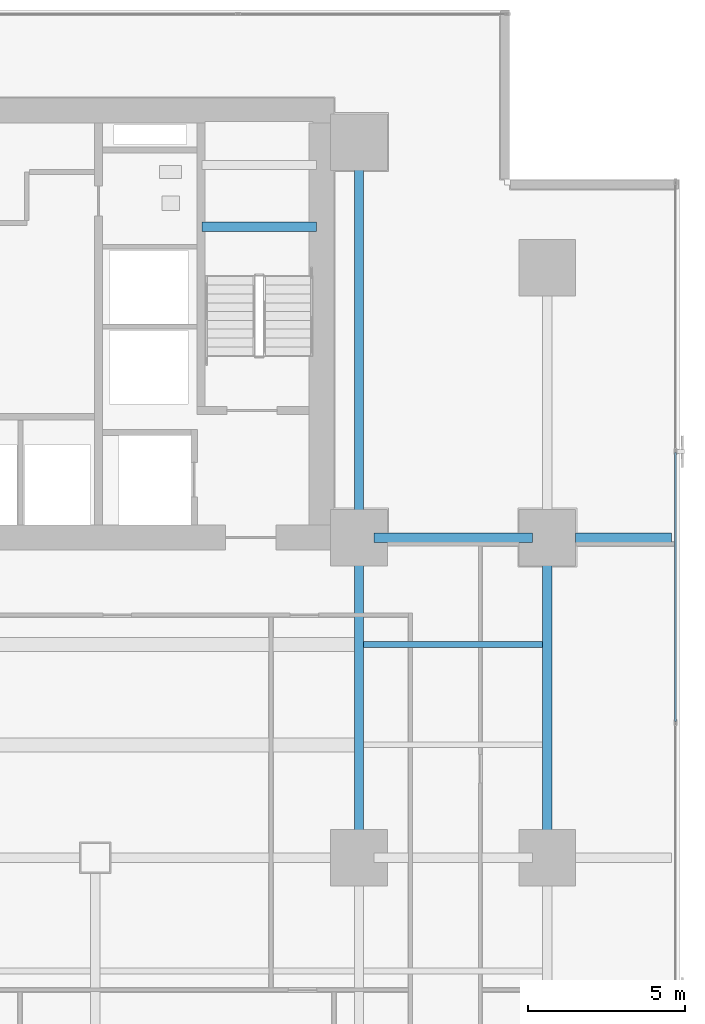
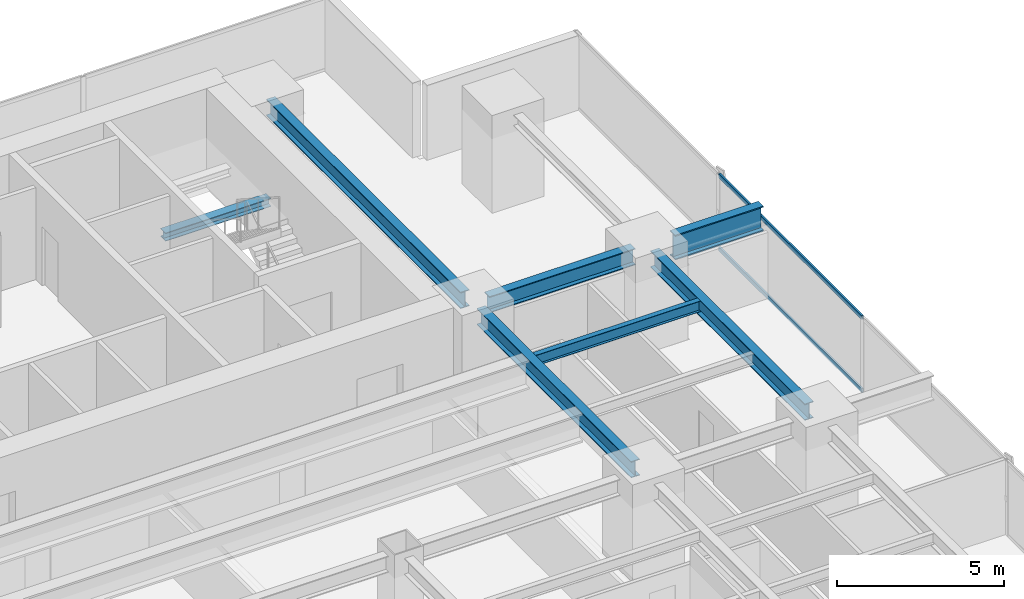
# One storey, part 20 of 33: 7 beams, 2 members, 1 element without a shape of its own.
"""IFC4 building model written with IfcOpenShell, lengths in metres."""

from ifc_helpers import new_model, si_unit, direction, frame, origin, origin_2d, place, context, subcontext, project, spatial, hollow_rectangle, i_section, extrude, source, transform, mapped, material, layer, layer_set, material_profile, profile_set, type_object, element, aggregate, save


model = new_model("IFC4")

# Units and contexts
model_context = context("Model", 3, precision=1e-05, world=origin(), true_north=direction((0.0, 1.0)))
body_context = subcontext(model_context, "Body", "Model", "MODEL_VIEW")
ifc_project = project(units=[si_unit("LENGTHUNIT", "METRE"), si_unit("AREAUNIT", "SQUARE_METRE"), si_unit("VOLUMEUNIT", "CUBIC_METRE"), si_unit("PLANEANGLEUNIT", "RADIAN"), si_unit("MASSUNIT", "GRAM", prefix="KILO")], contexts=[model_context])

# Site, building, storey
site_placement = place(None, origin())
site = spatial("IfcSite", under=ifc_project, at=site_placement, CompositionType="ELEMENT")
building_placement = place(site_placement, origin())
building = spatial("IfcBuilding", under=site, at=building_placement, Name="Sumidabori Civic Tower", CompositionType="ELEMENT")
storey_placement = place(building_placement, frame((0.0, 0.0, 27.199951171875)))
storey = spatial("IfcBuildingStorey", under=building, at=storey_placement, Name="L06", CompositionType="ELEMENT", Elevation=27.199951171875)

# Beams
ifc_material_1 = material(Name="Steel SN490", Category="steel")
ifc_material_profile_1 = material_profile(ifc_material_1, i_section(OverallWidth=0.300048828125, OverallDepth=0.300048828125, WebThickness=0.010986328125, FlangeThickness=0.01904296875, at=origin_2d()), Name="HE 300 B")
ifc_profile_set_1 = profile_set([ifc_material_profile_1], Name="Steel SN490")
beam_type_1 = type_object("IfcBeamType", Name="BM-LDG-300", PredefinedType="BEAM", material=ifc_profile_set_1)
shared_shape_1 = source(origin(), body_context, "Body", "SweptSolid", [
    extrude(i_section(OverallWidth=0.300048828125, OverallDepth=0.300048828125, WebThickness=0.010986328125, FlangeThickness=0.01904296875, at=origin_2d()), origin(), (0.0, 0.0, 1.0), 3.64990234375),
])
beam_1_placement = place(storey_placement, frame((11.800048828125, 20.09765625, 1.449951171875), z_axis=(1.0, 0.0, 0.0), x_axis=(0.0, 1.0, 0.0)))
element("IfcBeam", 1, at=beam_1_placement, inside=storey, type_object=beam_type_1, Name="Stair ST-2 Landing Support Beam L06-1A", PredefinedType="BEAM", context=body_context, shape_type="MappedRepresentation", body=[
    mapped(shared_shape_1, transform((0.0, 0.0, 0.0), x_axis=(1.0, 0.0, 0.0), y_axis=(0.0, 1.0, 0.0), z_axis=(0.0, 0.0, 1.0), scale=1.0)),
])
ifc_material_profile_2 = material_profile(ifc_material_1, i_section(OverallWidth=0.300048828125, OverallDepth=0.60009765625, WebThickness=0.015380859375, FlangeThickness=0.030029296875, at=origin_2d()), Name="HE 600 B")
ifc_profile_set_2 = profile_set([ifc_material_profile_2], Name="Steel SN490")
beam_type_2 = type_object("IfcBeamType", Name="BM-GIRD-600", PredefinedType="BEAM", material=ifc_profile_set_2)
shared_shape_2 = source(origin(), body_context, "Body", "SweptSolid", [
    extrude(i_section(OverallWidth=0.300048828125, OverallDepth=0.60009765625, WebThickness=0.015380859375, FlangeThickness=0.030029296875, at=origin_2d()), origin(), (0.0, 0.0, 1.0), 5.0400390625),
])
beam_2_placement = place(storey_placement, frame((17.280029296875, 10.199951171875, 3.06005859375), z_axis=(1.0, 0.0, 0.0), x_axis=(0.0, 1.0, 0.0)))
element("IfcBeam", 2, at=beam_2_placement, inside=storey, type_object=beam_type_2, Name="Primary Girder L06 GX-20", PredefinedType="BEAM", context=body_context, shape_type="MappedRepresentation", body=[
    mapped(shared_shape_2, transform((0.0, 0.0, 0.0), x_axis=(1.0, 0.0, 0.0), y_axis=(0.0, 1.0, 0.0), z_axis=(0.0, 0.0, 1.0), scale=1.0)),
])
shared_shape_3 = source(origin(), body_context, "Body", "SweptSolid", [
    extrude(i_section(OverallWidth=0.300048828125, OverallDepth=0.60009765625, WebThickness=0.015380859375, FlangeThickness=0.030029296875, at=origin_2d()), origin(), (0.0, 0.0, 1.0), 9.239990234375),
])
for number, where, z_axis, x_axis, name in (
    (3, (16.800048828125, 0.47998046875, 3.06005859375), (0.0, 1.0, 0.0), (-1.0, 0.0, 0.0), "Primary Girder L06 GY-37"),
    (4, (22.800048828125, 0.47998046875, 3.06005859375), (0.0, 1.0, 0.0), (-1.0, 0.0, 0.0), "Primary Girder L06 GY-41"),
):
    element("IfcBeam", number, at=place(storey_placement, frame(where, z_axis=z_axis, x_axis=x_axis)), inside=storey, type_object=beam_type_2, Name=name, PredefinedType="BEAM", context=body_context, shape_type="MappedRepresentation", body=[
        mapped(shared_shape_3, transform((0.0, 0.0, 0.0), x_axis=(1.0, 0.0, 0.0), y_axis=(0.0, 1.0, 0.0), z_axis=(0.0, 0.0, 1.0), scale=1.0)),
    ])
shared_shape_4 = source(origin(), body_context, "Body", "SweptSolid", [
    extrude(i_section(OverallWidth=0.300048828125, OverallDepth=0.60009765625, WebThickness=0.015380859375, FlangeThickness=0.030029296875, at=origin_2d()), origin(), (0.0, 0.0, 1.0), 11.64013671875),
])
beam_3_placement = place(storey_placement, frame((16.800048828125, 10.679931640625, 3.06005859375), z_axis=(0.0, 1.0, 0.0), x_axis=(-1.0, 0.0, 0.0)))
element("IfcBeam", 5, at=beam_3_placement, inside=storey, type_object=beam_type_2, Name="Primary Girder L06 GY-38", PredefinedType="BEAM", context=body_context, shape_type="MappedRepresentation", body=[
    mapped(shared_shape_4, transform((0.0, 0.0, 0.0), x_axis=(1.0, 0.0, 0.0), y_axis=(0.0, 1.0, 0.0), z_axis=(0.0, 0.0, 1.0), scale=1.0)),
])
ifc_material_profile_3 = material_profile(ifc_material_1, i_section(OverallWidth=0.302001953125, OverallDepth=0.909912109375, WebThickness=0.02099609375, FlangeThickness=0.0400390625, at=origin_2d()), Name="HE 900 M")
ifc_profile_set_3 = profile_set([ifc_material_profile_3], Name="Steel SN490")
beam_type_3 = type_object("IfcBeamType", Name="BM-Z1-EDGE", PredefinedType="SPANDREL", material=ifc_profile_set_3)
shared_shape_5 = source(origin(), body_context, "Body", "SweptSolid", [
    extrude(i_section(OverallWidth=0.302001953125, OverallDepth=0.909912109375, WebThickness=0.02099609375, FlangeThickness=0.0400390625, at=origin_2d()), origin(), (0.0, 0.0, 1.0), 3.050048828125),
])
beam_4_placement = place(storey_placement, frame((23.699951171875, 10.199951171875, 2.905029296875), z_axis=(1.0, 0.0, 0.0), x_axis=(0.0, 1.0, 0.0)))
element("IfcBeam", 6, at=beam_4_placement, inside=storey, type_object=beam_type_3, Name="Perimeter Overhang Beam L06 E-47", PredefinedType="SPANDREL", context=body_context, shape_type="MappedRepresentation", body=[
    mapped(shared_shape_5, transform((0.0, 0.0, 0.0), x_axis=(1.0, 0.0, 0.0), y_axis=(0.0, 1.0, 0.0), z_axis=(0.0, 0.0, 1.0), scale=1.0)),
])
ifc_material_profile_4 = material_profile(ifc_material_1, i_section(OverallWidth=0.179931640625, OverallDepth=0.39990234375, WebThickness=0.008544921875, FlangeThickness=0.013427734375, at=origin_2d()), Name="IPE 400")
ifc_profile_set_4 = profile_set([ifc_material_profile_4], Name="Steel SN490")
beam_type_4 = type_object("IfcBeamType", Name="BM-JST-400", PredefinedType="JOIST", material=ifc_profile_set_4)
shared_shape_6 = source(origin(), body_context, "Body", "SweptSolid", [
    extrude(i_section(OverallWidth=0.179931640625, OverallDepth=0.39990234375, WebThickness=0.008544921875, FlangeThickness=0.013427734375, at=origin_2d()), origin(), (0.0, 0.0, 1.0), 5.699951171875),
])
beam_5_placement = place(storey_placement, frame((16.949951171875, 6.800048828125, 3.16015625), z_axis=(1.0, 0.0, 0.0), x_axis=(0.0, 1.0, 0.0)))
element("IfcBeam", 7, at=beam_5_placement, inside=storey, type_object=beam_type_4, Name="Outer Bay Floor Joist L06 JSTO-56", PredefinedType="JOIST", context=body_context, shape_type="MappedRepresentation", body=[
    mapped(shared_shape_6, transform((0.0, 0.0, 0.0), x_axis=(1.0, 0.0, 0.0), y_axis=(0.0, 1.0, 0.0), z_axis=(0.0, 0.0, 1.0), scale=1.0)),
])

# Curtain wall, members
ifc_material_2 = material(Name="Anodised Bronze Aluminium AW-6063-T6", Category="aluminium")
ifc_layer = layer(ifc_material_2, 0.179931640625, Name="Anodised Bronze Aluminium AW-6063-T6")
ifc_layer_set = layer_set([ifc_layer], Name="Anodised Bronze Aluminium AW-6063-T6")
curtain_wall_type = type_object("IfcCurtainWallType", Name="CW-SYS-2", PredefinedType="NOTDEFINED", material=ifc_layer_set)
curtain_wall_placement = place(storey_placement, origin())
curtain_wall = element("IfcCurtainWall", 8, at=curtain_wall_placement, inside=storey, type_object=curtain_wall_type, Name="Curtain Wall CW:L06:R04", PredefinedType="NOTDEFINED")
ifc_material_profile_5 = material_profile(ifc_material_2, hollow_rectangle(XDim=0.06494140625, YDim=0.14990234375, WallThickness=0.0048828125, at=origin_2d()), Name="ALU TRANSOM 150x65")
ifc_profile_set_5 = profile_set([ifc_material_profile_5], Name="Anodised Bronze Aluminium AW-6063-T6")
member_type = type_object("IfcMemberType", Name="CW-TRN-150", PredefinedType="USERDEFINED", material=ifc_profile_set_5)
shared_shape_7 = source(origin(), body_context, "Body", "SweptSolid", [
    extrude(hollow_rectangle(XDim=0.06494140625, YDim=0.14990234375, WallThickness=0.0048828125, at=origin_2d()), origin(), (0.0, 0.0, 1.0), 8.557861328125),
])
member_1_placement = place(storey_placement, frame((26.8798828125, 4.34912109375, 0.032470703125), z_axis=(0.0, 1.0, 0.0), x_axis=(-1.0, 0.0, 0.0)))
member_1 = element("IfcMember", 9, at=member_1_placement, type_object=member_type, Name="CW-2 transom 4.1", ObjectType="TRANSOM", PredefinedType="USERDEFINED", context=body_context, shape_type="MappedRepresentation", body=[
    mapped(shared_shape_7, transform((0.0, 0.0, 0.0), x_axis=(1.0, 0.0, 0.0), y_axis=(0.0, 1.0, 0.0), z_axis=(0.0, 0.0, 1.0), scale=1.0)),
])
member_2_placement = place(storey_placement, frame((26.8798828125, 4.34912109375, 2.70751953125), z_axis=(0.0, 1.0, 0.0), x_axis=(-1.0, 0.0, 0.0)))
member_2 = element("IfcMember", 10, at=member_2_placement, type_object=member_type, Name="CW-2 transom 4.2", ObjectType="TRANSOM", PredefinedType="USERDEFINED", context=body_context, shape_type="MappedRepresentation", body=[
    mapped(shared_shape_7, transform((0.0, 0.0, 0.0), x_axis=(1.0, 0.0, 0.0), y_axis=(0.0, 1.0, 0.0), z_axis=(0.0, 0.0, 1.0), scale=1.0)),
])
aggregate(curtain_wall, [member_1, member_2])

save(model, "model.ifc")
